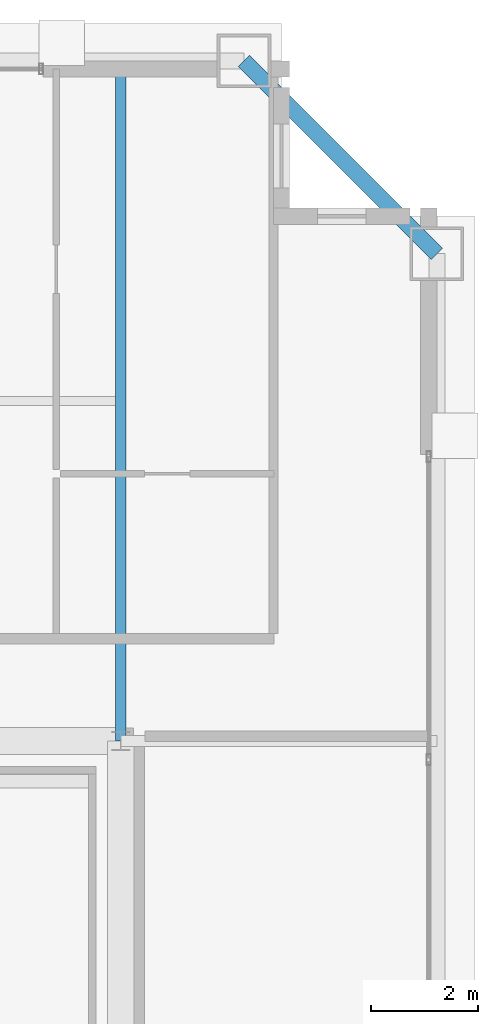
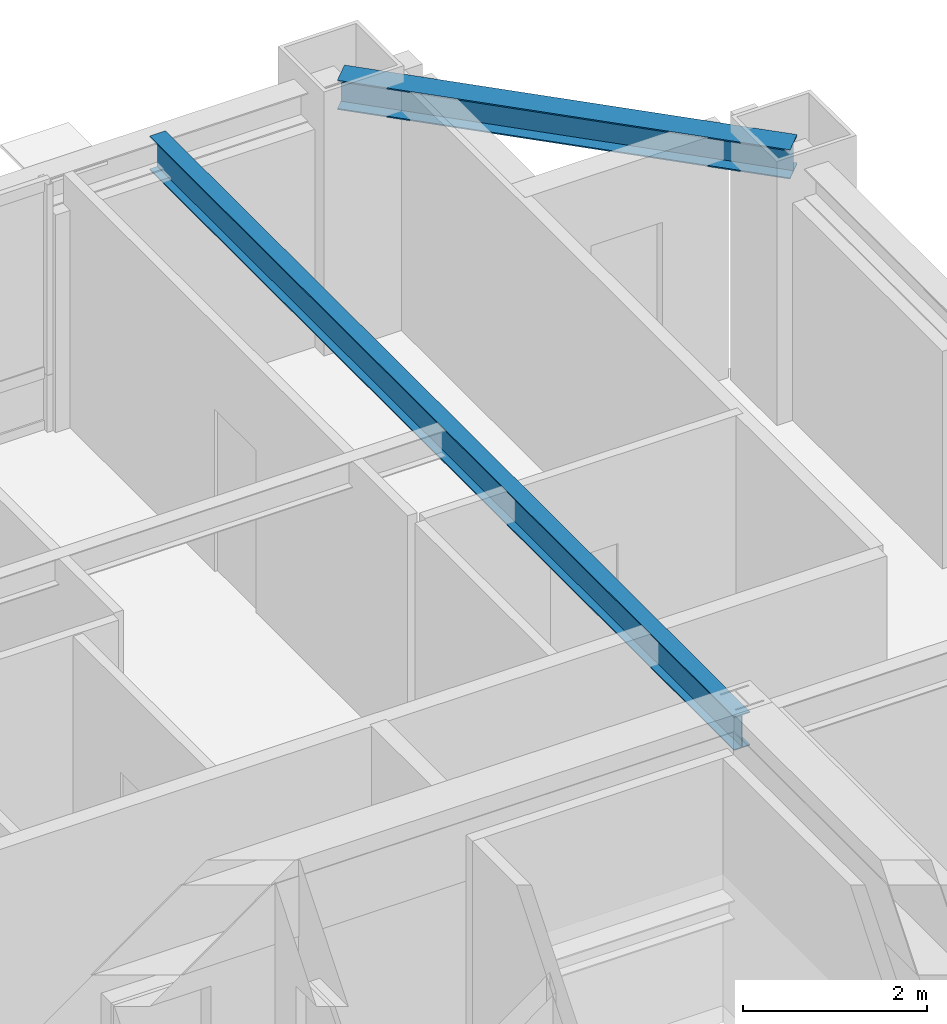
# One storey, part 20 of 35: 2 beams.
"""IFC4 building model written with IfcOpenShell, lengths in metres."""

from ifc_helpers import new_model, si_unit, direction, frame, origin, origin_2d, place, context, subcontext, project, spatial, i_section, extrude, source, transform, mapped, material, material_profile, profile_set, type_object, element, save


model = new_model("IFC4")

# Units and contexts
model_context = context("Model", 3, precision=1e-05, world=origin(), true_north=direction((0.0, 1.0)))
body_context = subcontext(model_context, "Body", "Model", "MODEL_VIEW")
ifc_project = project(units=[si_unit("LENGTHUNIT", "METRE"), si_unit("AREAUNIT", "SQUARE_METRE"), si_unit("VOLUMEUNIT", "CUBIC_METRE"), si_unit("PLANEANGLEUNIT", "RADIAN"), si_unit("MASSUNIT", "GRAM", prefix="KILO"), si_unit("THERMODYNAMICTEMPERATUREUNIT", "KELVIN"), si_unit("POWERUNIT", "WATT")], contexts=[model_context])

# Site, building, storey
site_placement = place(None, origin())
site = spatial("IfcSite", under=ifc_project, at=site_placement, CompositionType="ELEMENT")
building_placement = place(site_placement, origin())
building = spatial("IfcBuilding", under=site, at=building_placement, Name="Yuzanri Waterfront Tower", CompositionType="ELEMENT")
storey_placement = place(building_placement, frame((0.0, 0.0, 289.10009765625)))
storey = spatial("IfcBuildingStorey", under=building, at=storey_placement, Name="L77", CompositionType="ELEMENT", Elevation=289.10009765625)

# Beams
ifc_material_1 = material(Name="Steel Q355B", Category="steel")
ifc_material_profile_1 = material_profile(ifc_material_1, i_section(OverallWidth=0.300048828125, OverallDepth=0.389892578125, WebThickness=0.010009765625, FlangeThickness=0.01611328125, at=origin_2d()), Name="HM 390x300x10x16")
ifc_profile_set_1 = profile_set([ifc_material_profile_1], Name="Steel Q355B")
beam_type_1 = type_object("IfcBeamType", Name="Perimeter Spandrel Q355B HM 390x300", PredefinedType="SPANDREL", material=ifc_profile_set_1)
shared_shape_1 = source(origin(), body_context, "Body", "SweptSolid", [
    extrude(i_section(OverallWidth=0.300048828125, OverallDepth=0.389892578125, WebThickness=0.010009765625, FlangeThickness=0.01611328125, at=origin_2d()), origin(), (0.0, 0.0, 1.0), 5.091064453125),
])
beam_1_placement = place(storey_placement, frame((56.10009765625, 41.300048828125, 3.0849609375), z_axis=(-0.707130757816, 0.707082803744, 0.0), x_axis=(-0.707082803744, -0.707130757816, 0.0)))
element("IfcBeam", 1, at=beam_1_placement, inside=storey, type_object=beam_type_1, Name="L77 Perimeter Spandrel E3-N3", PredefinedType="SPANDREL", context=body_context, shape_type="MappedRepresentation", body=[
    mapped(shared_shape_1, transform((0.0, 0.0, 0.0), scale=1.0)),
])
ifc_material_2 = material(Name="Steel Q355B", Category="steel")
ifc_material_profile_2 = material_profile(ifc_material_2, i_section(OverallWidth=0.199951171875, OverallDepth=0.449951171875, WebThickness=0.009033203125, FlangeThickness=0.013916015625, at=origin_2d()), Name="HN 450x200x9x14")
ifc_profile_set_2 = profile_set([ifc_material_profile_2], Name="Steel Q355B")
beam_type_2 = type_object("IfcBeamType", Name="Secondary Floor Beam Q355B HN 450x200", PredefinedType="BEAM", material=ifc_profile_set_2)
shared_shape_2 = source(origin(), body_context, "Body", "SweptSolid", [
    extrude(i_section(OverallWidth=0.199951171875, OverallDepth=0.449951171875, WebThickness=0.009033203125, FlangeThickness=0.013916015625, at=origin_2d()), origin(), (0.0, 0.0, 1.0), 12.699951171875),
])
beam_2_placement = place(storey_placement, frame((50.199951171875, 32.199951171875, 3.054931640625), z_axis=(0.0, 1.0, 0.0), x_axis=(-1.0, 0.0, 0.0)))
element("IfcBeam", 2, at=beam_2_placement, inside=storey, type_object=beam_type_2, Name="L77 North-East Core Line Beam", PredefinedType="BEAM", context=body_context, shape_type="MappedRepresentation", body=[
    mapped(shared_shape_2, transform((0.0, 0.0, 0.0), scale=1.0)),
])

save(model, "model.ifc")
